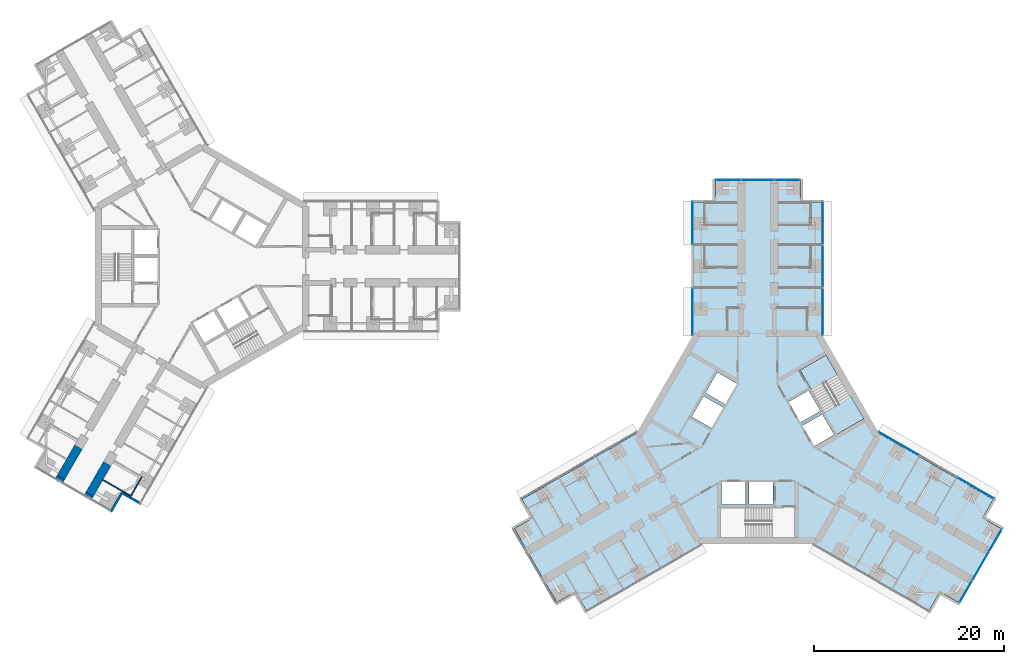
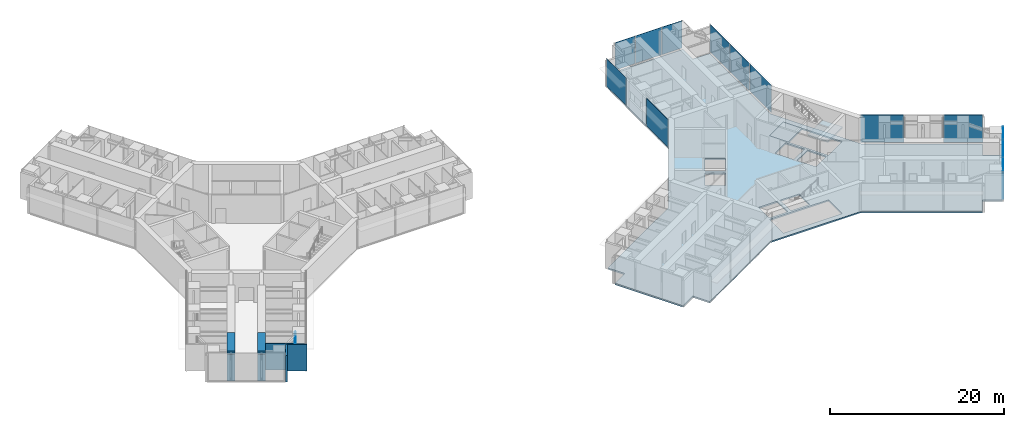
# One storey, part 15 of 25: 13 plates, 8 walls, 3 slabs, 7 elements without a shape of their own.
"""IFC4 building model written with IfcOpenShell, lengths in metres."""

from ifc_helpers import new_model, si_unit, direction, frame, frame_2d, origin, origin_2d, place, context, subcontext, project, spatial, polyline, rectangle, outline, extrude, material, layer, layer_set, type_object, element, aggregate, save


model = new_model("IFC4")

# Units and contexts
model_context = context("Model", 3, precision=1e-05, world=origin(), true_north=direction((0.0, 1.0)))
body_context = subcontext(model_context, "Body", "Model", "MODEL_VIEW")
ifc_project = project(units=[si_unit("LENGTHUNIT", "METRE"), si_unit("AREAUNIT", "SQUARE_METRE"), si_unit("VOLUMEUNIT", "CUBIC_METRE"), si_unit("PLANEANGLEUNIT", "RADIAN"), si_unit("MASSUNIT", "GRAM", prefix="KILO")], contexts=[model_context])

# Site, building, storey
site_placement = place(None, origin())
site = spatial("IfcSite", under=ifc_project, at=site_placement, CompositionType="ELEMENT")
building_placement = place(site_placement, origin())
building = spatial("IfcBuilding", under=site, at=building_placement, Name="Upepo Twin Towers", CompositionType="ELEMENT")
storey_placement = place(building_placement, frame((0.0, 0.0, 88.5)))
storey = spatial("IfcBuildingStorey", under=building, at=storey_placement, Name="L21", CompositionType="ELEMENT", Elevation=88.5)

# Curtain wall, plate
ifc_material_1 = material(Name="Aluminium and fritted glass", Category="aluminium")
curtain_wall_type = type_object("IfcCurtainWallType", Name="Tower curtain wall TW1, fritted glass", PredefinedType="NOTDEFINED", material=ifc_material_1)
curtain_wall_1_placement = place(storey_placement, origin())
curtain_wall_1 = element("IfcCurtainWall", 1, at=curtain_wall_1_placement, inside=storey, type_object=curtain_wall_type, Name="T2 L21 wing A flank L curtain wall", PredefinedType="NOTDEFINED")
ifc_material_2 = material(Name="Ceramic-fritted laminated glass", Category="glass")
ifc_layer_1 = layer(ifc_material_2, 0.031982421875)
ifc_layer_set_1 = layer_set([ifc_layer_1], Name="Fritted glass panel, 30 per cent dot frit, 32 mm double glazed")
plate_type_1 = type_object("IfcPlateType", Name="Fritted glass panel, 30 per cent dot frit, 32 mm double glazed", PredefinedType="CURTAIN_PANEL", material=ifc_layer_set_1)
plate_1_placement = place(storey_placement, frame((51.64990234375, -4.781494140625, 0.14990234375), z_axis=(0.0, 0.0, 1.0), x_axis=(0.0, 1.0, 0.0)))
plate_1 = element("IfcPlate", 2, at=plate_1_placement, type_object=plate_type_1, Name="T2 L21 wing A flank L curtain wall panel 1", PredefinedType="CURTAIN_PANEL", context=body_context, shape_type="SweptSolid", body=[
    extrude(rectangle(XDim=4.932861328125, YDim=0.031982421875, at=origin_2d()), origin(), (0.0, 0.0, 1.0), 3.85009765625),
])
aggregate(curtain_wall_1, [plate_1])

curtain_wall_2_placement = place(storey_placement, origin())
curtain_wall_2 = element("IfcCurtainWall", 3, at=curtain_wall_2_placement, inside=storey, type_object=curtain_wall_type, Name="T2 L21 wing A flank L curtain wall 2", PredefinedType="NOTDEFINED")
plate_2_placement = place(storey_placement, frame((51.64990234375, 4.550048828125, 0.14990234375), z_axis=(0.0, 0.0, 1.0), x_axis=(0.0, 1.0, 0.0)))
plate_2 = element("IfcPlate", 4, at=plate_2_placement, type_object=plate_type_1, Name="T2 L21 wing A flank L curtain wall 2 panel 1", PredefinedType="CURTAIN_PANEL", context=body_context, shape_type="SweptSolid", body=[
    extrude(rectangle(XDim=4.469970703125, YDim=0.031982421875, at=origin_2d()), origin(), (0.0, 0.0, 1.0), 3.85009765625),
])
aggregate(curtain_wall_2, [plate_2])

# Curtain wall, plates
curtain_wall_3_placement = place(storey_placement, origin())
curtain_wall_3 = element("IfcCurtainWall", 5, at=curtain_wall_3_placement, inside=storey, type_object=curtain_wall_type, Name="T2 L21 wing A flank R curtain wall", PredefinedType="NOTDEFINED")
plate_3_placement = place(storey_placement, frame((65.35009765625, 4.53369140625, 0.14990234375), z_axis=(0.0, 0.0, 1.0), x_axis=(0.0, -1.0, 0.0)))
plate_3 = element("IfcPlate", 6, at=plate_3_placement, type_object=plate_type_1, Name="T2 L21 wing A flank R curtain wall panel 1", PredefinedType="CURTAIN_PANEL", context=body_context, shape_type="SweptSolid", body=[
    extrude(rectangle(XDim=4.50244140625, YDim=0.031982421875, at=origin_2d()), origin(), (0.0, 0.0, 1.0), 3.85009765625),
])
plate_4_placement = place(storey_placement, frame((65.35009765625, 0.0, 0.14990234375), z_axis=(0.0, 0.0, 1.0), x_axis=(0.0, -1.0, 0.0)))
plate_4 = element("IfcPlate", 7, at=plate_4_placement, type_object=plate_type_1, Name="T2 L21 wing A flank R curtain wall panel 2", PredefinedType="CURTAIN_PANEL", context=body_context, shape_type="SweptSolid", body=[
    extrude(rectangle(XDim=4.43505859375, YDim=0.031982421875, at=origin_2d()), origin(), (0.0, 0.0, 1.0), 3.85009765625),
])
plate_5_placement = place(storey_placement, frame((65.35009765625, -4.76513671875, 0.14990234375), z_axis=(0.0, 0.0, 1.0), x_axis=(0.0, -1.0, 0.0)))
plate_5 = element("IfcPlate", 8, at=plate_5_placement, type_object=plate_type_1, Name="T2 L21 wing A flank R curtain wall panel 3", PredefinedType="CURTAIN_PANEL", context=body_context, shape_type="SweptSolid", body=[
    extrude(rectangle(XDim=4.96533203125, YDim=0.031982421875, at=origin_2d()), origin(), (0.0, 0.0, 1.0), 3.85009765625),
])
aggregate(curtain_wall_3, [plate_3, plate_4, plate_5])

# Curtain wall, plate
curtain_wall_4_placement = place(storey_placement, origin())
curtain_wall_4 = element("IfcCurtainWall", 9, at=curtain_wall_4_placement, inside=storey, type_object=curtain_wall_type, Name="T2 L21 wing A nose curtain wall", PredefinedType="NOTDEFINED")
plate_6_placement = place(storey_placement, frame((58.5, 9.10009765625, 0.14990234375), z_axis=(0.0, 0.0, 1.0), x_axis=(-1.0, 0.0, 0.0)))
plate_6 = element("IfcPlate", 10, at=plate_6_placement, type_object=plate_type_1, Name="T2 L21 wing A nose curtain wall panel 2", PredefinedType="CURTAIN_PANEL", context=body_context, shape_type="SweptSolid", body=[
    extrude(rectangle(XDim=3.43505859375, YDim=0.031982421875, at=origin_2d()), origin(), (0.0, 0.0, 1.0), 3.85009765625),
])

# Curtain wall, plates
curtain_wall_5_placement = place(storey_placement, origin())
curtain_wall_5 = element("IfcCurtainWall", 11, at=curtain_wall_5_placement, inside=storey, type_object=curtain_wall_type, Name="T2 L21 wing C flank L curtain wall", PredefinedType="NOTDEFINED")
plate_7_placement = place(storey_placement, frame((73.38671875, -18.68505859375, 0.14990234375), z_axis=(0.0, 0.0, 1.0), x_axis=(0.866025389682, -0.500000024426, 0.0)))
plate_7 = element("IfcPlate", 12, at=plate_7_placement, type_object=plate_type_1, Name="T2 L21 wing C flank L curtain wall panel 1", PredefinedType="CURTAIN_PANEL", context=body_context, shape_type="SweptSolid", body=[
    extrude(rectangle(XDim=4.96533203125, YDim=0.031982421875, at=origin_2d()), origin(), (0.0, 0.0, 1.0), 3.85009765625),
])
plate_8_placement = place(storey_placement, frame((81.439697265625, -23.334716796875, 0.14990234375), z_axis=(0.0, 0.0, 1.0), x_axis=(0.866025389682, -0.500000024426, 0.0)))
plate_8 = element("IfcPlate", 13, at=plate_8_placement, type_object=plate_type_1, Name="T2 L21 wing C flank L curtain wall panel 3", PredefinedType="CURTAIN_PANEL", context=body_context, shape_type="SweptSolid", body=[
    extrude(rectangle(XDim=4.50244140625, YDim=0.031982421875, at=origin_2d()), origin(), (0.0, 0.0, 1.0), 3.85009765625),
])
aggregate(curtain_wall_5, [plate_7, plate_8])

# Curtain wall, plate
curtain_wall_6_placement = place(storey_placement, origin())
curtain_wall_6 = element("IfcCurtainWall", 14, at=curtain_wall_6_placement, inside=storey, type_object=curtain_wall_type, Name="T2 L21 wing C nose curtain wall", PredefinedType="NOTDEFINED")
plate_9_placement = place(storey_placement, frame((81.96923828125, -31.550048828125, 0.14990234375), z_axis=(0.0, 0.0, 1.0), x_axis=(0.500000030502, 0.866025386174, 0.0)))
plate_9 = element("IfcPlate", 15, at=plate_9_placement, type_object=plate_type_1, Name="T2 L21 wing C nose curtain wall panel 2", PredefinedType="CURTAIN_PANEL", context=body_context, shape_type="SweptSolid", body=[
    extrude(rectangle(XDim=3.43505859375, YDim=0.031982421875, at=origin_2d()), origin(), (0.0, 0.0, 1.0), 3.85009765625),
])

# Plate
ifc_material_3 = material(Name="Clear laminated glass in opening sash", Category="glass")
ifc_layer_2 = layer(ifc_material_3, 0.031982421875)
ifc_layer_set_2 = layer_set([ifc_layer_2], Name="Operable glass panel, 32 mm double glazed")
plate_type_2 = type_object("IfcPlateType", Name="Operable glass panel, 32 mm double glazed", PredefinedType="CURTAIN_PANEL", material=ifc_layer_set_2)
plate_10_placement = place(storey_placement, frame((61.608642578125, 9.10009765625, 0.14990234375), z_axis=(0.0, 0.0, 1.0), x_axis=(-1.0, 0.0, 0.0)))
plate_10 = element("IfcPlate", 16, at=plate_10_placement, type_object=plate_type_2, Name="T2 L21 wing A nose curtain wall panel 1", PredefinedType="CURTAIN_PANEL", context=body_context, shape_type="SweptSolid", body=[
    extrude(rectangle(XDim=2.652587890625, YDim=0.031982421875, at=origin_2d()), origin(), (0.0, 0.0, 1.0), 3.85009765625),
])

plate_11_placement = place(storey_placement, frame((55.391357421875, 9.10009765625, 0.14990234375), z_axis=(0.0, 0.0, 1.0), x_axis=(-1.0, 0.0, 0.0)))
plate_11 = element("IfcPlate", 17, at=plate_11_placement, type_object=plate_type_2, Name="T2 L21 wing A nose curtain wall panel 3", PredefinedType="CURTAIN_PANEL", context=body_context, shape_type="SweptSolid", body=[
    extrude(rectangle(XDim=2.652587890625, YDim=0.031982421875, at=origin_2d()), origin(), (0.0, 0.0, 1.0), 3.85009765625),
])

aggregate(curtain_wall_4, [plate_10, plate_6, plate_11])

plate_12_placement = place(storey_placement, frame((80.414794921875, -34.2421875, 0.14990234375), z_axis=(0.0, 0.0, 1.0), x_axis=(0.500000030502, 0.866025386174, 0.0)))
plate_12 = element("IfcPlate", 18, at=plate_12_placement, type_object=plate_type_2, Name="T2 L21 wing C nose curtain wall panel 1", PredefinedType="CURTAIN_PANEL", context=body_context, shape_type="SweptSolid", body=[
    extrude(rectangle(XDim=2.652587890625, YDim=0.031982421875, at=origin_2d()), origin(), (0.0, 0.0, 1.0), 3.85009765625),
])

plate_13_placement = place(storey_placement, frame((83.523681640625, -28.857666015625, 0.14990234375), z_axis=(0.0, 0.0, 1.0), x_axis=(0.500000030502, 0.866025386174, 0.0)))
plate_13 = element("IfcPlate", 19, at=plate_13_placement, type_object=plate_type_2, Name="T2 L21 wing C nose curtain wall panel 3", PredefinedType="CURTAIN_PANEL", context=body_context, shape_type="SweptSolid", body=[
    extrude(rectangle(XDim=2.652587890625, YDim=0.031982421875, at=origin_2d()), origin(), (0.0, 0.0, 1.0), 3.85009765625),
])

aggregate(curtain_wall_6, [plate_12, plate_9, plate_13])

# Stair, slabs
ifc_material_4 = material(Name="Concrete C40/50", Category="concrete")
stair_type = type_object("IfcStairType", Name="Core stair, two flights", PredefinedType="HALF_TURN_STAIR", material=ifc_material_4)
stair_placement = place(storey_placement, origin())
stair = element("IfcStair", 20, at=stair_placement, inside=storey, type_object=stair_type, Name="T2 stair S2 L21", PredefinedType="HALF_TURN_STAIR")
ifc_material_5 = material(Name="Concrete C40/50", Category="concrete")
ifc_layer_3 = layer(ifc_material_5, 0.199951171875)
ifc_layer_set_3 = layer_set([ifc_layer_3], Name="Concrete C40/50")
slab_type_1 = type_object("IfcSlabType", Name="Stair landing 200 RC", PredefinedType="LANDING", material=ifc_layer_set_3)
slab_1_placement = place(storey_placement, frame((0.0, 0.0, -0.199951171875)))
slab_1 = element("IfcSlab", 21, at=slab_1_placement, type_object=slab_type_1, Name="Stair S2 landing 1", PredefinedType="LANDING", context=body_context, shape_type="SweptSolid", body=[
    extrude(outline(polyline([(64.198486328125, -13.0703125), (66.933837890625, -11.490966796875), (65.69384765625, -9.34326171875), (62.95849609375, -10.922607421875), (64.198486328125, -13.0703125)])), origin(), (0.0, 0.0, 1.0), 0.199951171875),
])
slab_2_placement = place(storey_placement, frame((0.0, 0.0, 1.800048828125)))
slab_2 = element("IfcSlab", 22, at=slab_2_placement, type_object=slab_type_1, Name="Stair S2 landing 2", PredefinedType="LANDING", context=body_context, shape_type="SweptSolid", body=[
    extrude(outline(polyline([(66.77197265625, -17.7275390625), (69.680419921875, -16.04833984375), (68.3203125, -13.692626953125), (65.411865234375, -15.371826171875), (66.77197265625, -17.7275390625)])), origin(), (0.0, 0.0, 1.0), 0.199951171875),
])
aggregate(stair, [slab_1, slab_2])

# Slab
ifc_material_6 = material(Name="Concrete C40/50", Category="concrete")
ifc_layer_4 = layer(ifc_material_6, 0.199951171875)
ifc_layer_set_4 = layer_set([ifc_layer_4], Name="Concrete C40/50")
slab_type_2 = type_object("IfcSlabType", Name="Tower floor slab 200 RC", PredefinedType="FLOOR", material=ifc_layer_set_4)
slab_3_placement = place(storey_placement, frame((0.0, 0.0, -0.199951171875)))
element("IfcSlab", 23, at=slab_3_placement, inside=storey, type_object=slab_type_2, Name="T2 L21 floor slab", PredefinedType="FLOOR", context=body_context, shape_type="SweptSolid", body=[
    extrude(outline(polyline([(82.18408203125, -26.477783203125), (84.132568359375, -27.602783203125), (79.632568359375, -35.397216796875), (77.68408203125, -34.272216796875), (76.55908203125, -36.220703125), (64.5, -29.25830078125), (52.5, -29.25830078125), (40.44091796875, -36.220703125), (39.31591796875, -34.272216796875), (37.367431640625, -35.397216796875), (32.867431640625, -27.602783203125), (34.81591796875, -26.477783203125), (33.69091796875, -24.529296875), (45.75, -17.56689453125), (51.75, -7.174560546875), (51.75, 6.75), (54.0, 6.75), (54.0, 9.0), (63.0, 9.0), (63.0, 6.75), (65.25, 6.75), (65.25, -7.174560546875), (71.25, -17.56689453125), (83.30908203125, -24.529296875), (82.18408203125, -26.477783203125)]), holes=[polyline([(56.32958984375, -12.359130859375), (54.251220703125, -11.1591796875), (53.001220703125, -13.32421875), (55.07958984375, -14.524169921875), (56.32958984375, -12.359130859375)]), polyline([(54.879638671875, -14.87060546875), (52.80126953125, -13.670654296875), (51.55126953125, -15.835693359375), (53.629638671875, -17.03564453125), (54.879638671875, -14.87060546875)]), polyline([(54.699951171875, -22.699951171875), (54.699951171875, -25.10009765625), (57.199951171875, -25.10009765625), (57.199951171875, -22.699951171875), (54.699951171875, -22.699951171875)]), polyline([(57.60009765625, -22.699951171875), (57.60009765625, -25.10009765625), (60.10009765625, -25.10009765625), (60.10009765625, -22.699951171875), (57.60009765625, -22.699951171875)]), polyline([(54.60009765625, -25.39990234375), (54.60009765625, -28.558349609375), (62.39990234375, -28.558349609375), (62.39990234375, -25.39990234375), (54.60009765625, -25.39990234375)]), polyline([(64.47021484375, -18.94091796875), (66.548828125, -17.740966796875), (65.298828125, -15.575927734375), (63.22021484375, -16.77587890625), (64.47021484375, -18.94091796875)]), polyline([(63.020263671875, -16.429443359375), (65.098876953125, -15.2294921875), (63.848876953125, -13.064453125), (61.770263671875, -14.264404296875), (63.020263671875, -16.429443359375)]), polyline([(66.858642578125, -17.677490234375), (69.59375, -16.098388671875), (65.69384765625, -9.34326171875), (62.95849609375, -10.922607421875), (66.858642578125, -17.677490234375)])]), origin(), (0.0, 0.0, 1.0), 0.199951171875),
])

# Walls
ifc_material_7 = material(Name="Dense concrete blockwork", Category="masonry")
ifc_layer_5 = layer(ifc_material_7, 0.89990234375)
ifc_layer_set_5 = layer_set([ifc_layer_5], Name="Buttress closer 900, blockwork with fire-stopping to the curtain wall")
wall_type_1 = type_object("IfcWallType", Name="Buttress closer 900, blockwork with fire-stopping to the curtain wall", PredefinedType="PARTITIONING", material=ifc_layer_set_5)
for number, where, z_axis, x_axis, name in (
    (24, (-11.83447265625, -23.997802734375, 0.0), (0.0, 0.0, 1.0), (-0.499949632511, -0.866054481515, 0.0), "T1 L21 wing C buttress closer L"),
    (25, (-14.865478515625, -22.247802734375, 0.0), (0.0, 0.0, 1.0), (-0.499949632511, -0.866054481515, 0.0), "T1 L21 wing C buttress closer R"),
):
    element("IfcWall", number, at=place(storey_placement, frame(where, z_axis=z_axis, x_axis=x_axis)), inside=storey, type_object=wall_type_1, Name=name, PredefinedType="PARTITIONING", context=body_context, shape_type="SweptSolid", body=[
        extrude(rectangle(XDim=0.31005859375, YDim=0.89990234375, at=frame_2d((0.155029296875, 0.0))), origin(), (0.0, 0.0, 1.0), 3.699951171875),
    ])
ifc_material_8 = material(Name="Concrete C60/75", Category="concrete")
ifc_layer_6 = layer(ifc_material_8, 0.89990234375)
ifc_layer_set_6 = layer_set([ifc_layer_6], Name="Concrete C60/75")
wall_type_2 = type_object("IfcWallType", Name="Buttress wall 900 RC", PredefinedType="SHEAR", material=ifc_layer_set_6)
wall_1_placement = place(storey_placement, frame((-9.984375, -20.793701171875, 0.0), z_axis=(0.0, 0.0, 1.0), x_axis=(-0.500042316284, -0.866000971088, 0.0)))
element("IfcWall", 26, at=wall_1_placement, inside=storey, type_object=wall_type_2, Name="T1 wing C buttress wall L part 3", PredefinedType="SHEAR", context=body_context, shape_type="SweptSolid", body=[
    extrude(rectangle(XDim=3.699951171875, YDim=0.89990234375, at=frame_2d((1.85009765625, 0.0))), origin(), (0.0, 0.0, 1.0), 4.0),
])
wall_2_placement = place(storey_placement, frame((-13.015625, -19.043701171875, 0.0), z_axis=(0.0, 0.0, 1.0), x_axis=(-0.499992827086, -0.866029545028, 0.0)))
element("IfcWall", 27, at=wall_2_placement, inside=storey, type_object=wall_type_2, Name="T1 wing C buttress wall R part 3", PredefinedType="SHEAR", context=body_context, shape_type="SweptSolid", body=[
    extrude(rectangle(XDim=3.69970703125, YDim=0.89990234375, at=frame_2d((1.849853515625, 0.0))), origin(), (0.0, 0.0, 1.0), 4.0),
])
ifc_material_9 = material(Name="Blockwork with anodised aluminium cladding", Category="masonry")
ifc_layer_7 = layer(ifc_material_9, 0.25)
ifc_layer_set_7 = layer_set([ifc_layer_7], Name="Notch cladding wall 250, pale metal")
wall_type_3 = type_object("IfcWallType", Name="Notch cladding wall 250, pale metal", PredefinedType="STANDARD", material=ifc_layer_set_7)
for number, where, z_axis, x_axis, name in (
    (28, (-6.418701171875, -25.017333984375, 0.0), (0.0, 0.0, 1.0), (-0.866043940782, 0.499967891604, 0.0), "T1 L21 wing C notch wall L1"),
    (29, (-8.43212890625, -23.85498046875, 0.0), (0.0, 0.0, 1.0), (-0.500046648681, -0.865998469481, 0.0), "T1 L21 wing C notch wall L2"),
):
    element("IfcWall", number, at=place(storey_placement, frame(where, z_axis=z_axis, x_axis=x_axis)), inside=storey, type_object=wall_type_3, Name=name, PredefinedType="STANDARD", context=body_context, shape_type="SweptSolid", body=[
        extrude(rectangle(XDim=2.324951171875, YDim=0.25, at=frame_2d((1.16259765625, 0.0))), origin(), (0.0, 0.0, 1.0), 3.699951171875),
    ])
ifc_material_10 = material(Name="Gypsum board on steel studs", Category="steel")
ifc_layer_8 = layer(ifc_material_10, 0.10009765625)
ifc_layer_set_8 = layer_set([ifc_layer_8], Name="Office partition 100 stud")
wall_type_4 = type_object("IfcWallType", Name="Office partition 100 stud", PredefinedType="PARTITIONING", material=ifc_layer_set_8)
wall_3_placement = place(storey_placement, frame((-6.3251953125, -22.15576171875, 0.0), z_axis=(0.0, 0.0, 1.0), x_axis=(-0.500001309137, -0.866024647952, 0.0)))
element("IfcWall", 30, at=wall_3_placement, inside=storey, type_object=wall_type_4, Name="T1 inner room partition CL at 22.35", PredefinedType="PARTITIONING", context=body_context, shape_type="SweptSolid", body=[
    extrude(rectangle(XDim=2.39990234375, YDim=0.10009765625, at=frame_2d((1.199951171875, 0.0))), origin(), (0.0, 0.0, 1.0), 3.699951171875),
])
wall_4_placement = place(storey_placement, frame((-10.44482421875, -22.49072265625, 0.0), z_axis=(0.0, 0.0, 1.0), x_axis=(0.866007419912, -0.500031147688, 0.0)))
element("IfcWall", 31, at=wall_4_placement, inside=storey, type_object=wall_type_4, Name="T1 inner room partition CL end at 24.75", PredefinedType="PARTITIONING", context=body_context, shape_type="SweptSolid", body=[
    extrude(rectangle(XDim=3.400146484375, YDim=0.10009765625, at=frame_2d((1.7001953125, 0.0))), origin(), (0.0, 0.0, 1.0), 3.699951171875),
])

save(model, "model.ifc")
